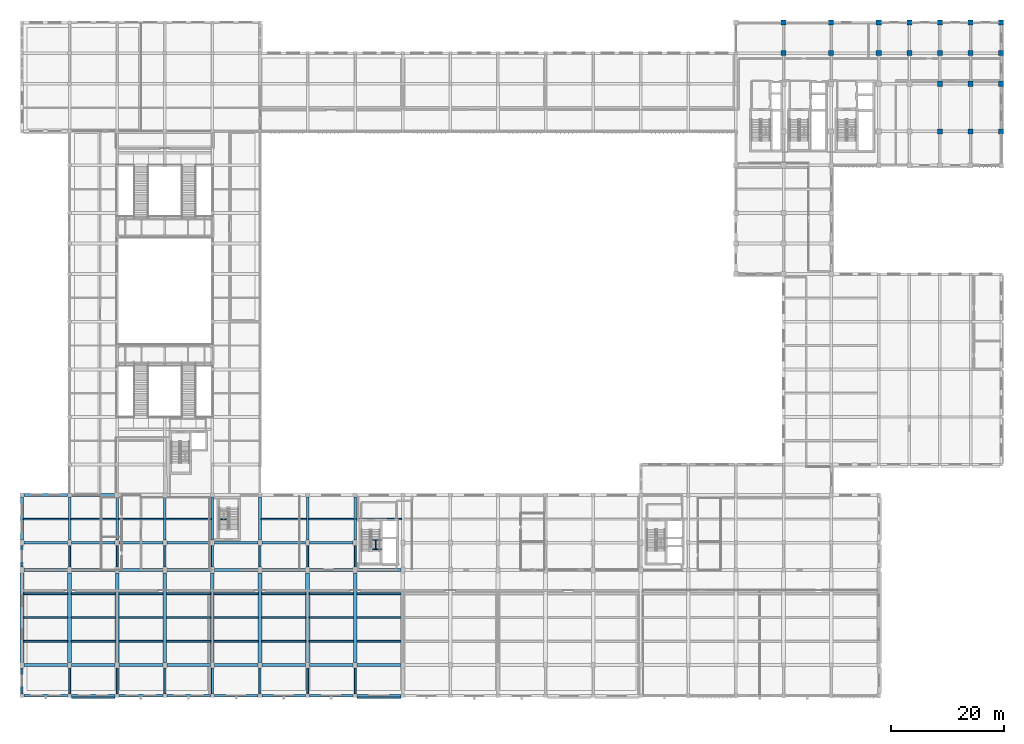
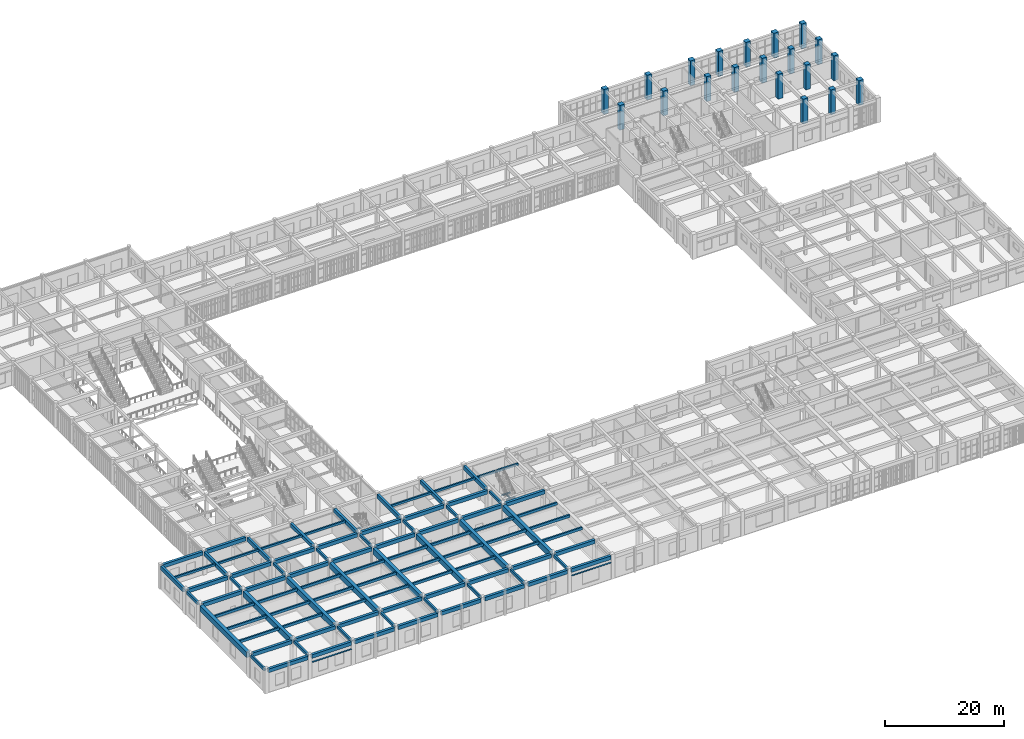
# One storey, part 14 of 106: 100 beams, 20 columns, 2 members.
"""IFC4 building model written with IfcOpenShell, lengths in metres."""

from ifc_helpers import new_model, si_unit, direction, frame, origin, origin_2d, place, context, subcontext, project, spatial, rectangle, hollow_rectangle, i_section, extrude, material, material_profile, profile_set, type_object, element, save


model = new_model("IFC4")

# Units and contexts
model_context = context("Model", 3, precision=1e-05, world=origin(), true_north=direction((0.0, 1.0)))
body_context = subcontext(model_context, "Body", "Model", "MODEL_VIEW")
ifc_project = project(units=[si_unit("LENGTHUNIT", "METRE"), si_unit("AREAUNIT", "SQUARE_METRE"), si_unit("VOLUMEUNIT", "CUBIC_METRE"), si_unit("PLANEANGLEUNIT", "RADIAN"), si_unit("MASSUNIT", "GRAM", prefix="KILO")], contexts=[model_context])

# Site, building, storey
site_placement = place(None, origin())
site = spatial("IfcSite", under=ifc_project, at=site_placement, CompositionType="ELEMENT")
building_placement = place(site_placement, origin())
building = spatial("IfcBuilding", under=site, at=building_placement, Name="Krzemoval Escarpment Law Courts", CompositionType="ELEMENT")
storey_placement = place(building_placement, frame((0.0, 0.0, 5.10009765625)))
storey = spatial("IfcBuildingStorey", under=building, at=storey_placement, Name="L01", CompositionType="ELEMENT", Elevation=5.10009765625)

# Columns
ifc_material_1 = material(Name="Concrete C50/60", Category="concrete")
ifc_material_profile_1 = material_profile(ifc_material_1, rectangle(XDim=0.89990234375, YDim=0.89990234375, at=origin_2d()), Name="RC 900x900")
ifc_profile_set_1 = profile_set([ifc_material_profile_1], Name="Concrete C50/60")
column_type = type_object("IfcColumnType", Name="COL-RC-900", PredefinedType="COLUMN", material=ifc_profile_set_1)
for number, where, z_axis, x_axis, name in (
    (1, (134.39990234375, 113.39990234375, 0.0), (0.0, 0.0, 1.0), (1.0, 0.0, 0.0), "Column FC-L01-0735"),
    (2, (134.39990234375, 118.800048828125, 0.0), (0.0, 0.0, 1.0), (1.0, 0.0, 0.0), "Column FC-L01-0736"),
    (3, (142.800048828125, 113.39990234375, 0.0), (0.0, 0.0, 1.0), (1.0, 0.0, 0.0), "Column FC-L01-0752"),
    (4, (142.800048828125, 118.800048828125, 0.0), (0.0, 0.0, 1.0), (1.0, 0.0, 0.0), "Column FC-L01-0753"),
    (5, (151.199951171875, 113.39990234375, 0.0), (0.0, 0.0, 1.0), (1.0, 0.0, 0.0), "Column FC-L01-0767"),
    (6, (151.199951171875, 118.800048828125, 0.0), (0.0, 0.0, 1.0), (1.0, 0.0, 0.0), "Column FC-L01-0768"),
    (7, (156.60009765625, 113.39990234375, 0.0), (0.0, 0.0, 1.0), (1.0, 0.0, 0.0), "Column FC-L01-0777"),
    (8, (156.60009765625, 118.800048828125, 0.0), (0.0, 0.0, 1.0), (1.0, 0.0, 0.0), "Column FC-L01-0778"),
    (9, (162.0, 99.60009765625, 0.0), (0.0, 0.0, 1.0), (1.0, 0.0, 0.0), "Column FC-L01-0785"),
    (10, (162.0, 108.0, 0.0), (0.0, 0.0, 1.0), (1.0, 0.0, 0.0), "Column FC-L01-0786"),
    (11, (162.0, 113.39990234375, 0.0), (0.0, 0.0, 1.0), (1.0, 0.0, 0.0), "Column FC-L01-0787"),
    (12, (162.0, 118.800048828125, 0.0), (0.0, 0.0, 1.0), (1.0, 0.0, 0.0), "Column FC-L01-0788"),
    (13, (167.39990234375, 99.60009765625, 0.0), (0.0, 0.0, 1.0), (1.0, 0.0, 0.0), "Column FC-L01-0795"),
    (14, (167.39990234375, 108.0, 0.0), (0.0, 0.0, 1.0), (1.0, 0.0, 0.0), "Column FC-L01-0796"),
    (15, (167.39990234375, 113.39990234375, 0.0), (0.0, 0.0, 1.0), (1.0, 0.0, 0.0), "Column FC-L01-0797"),
    (16, (167.39990234375, 118.800048828125, 0.0), (0.0, 0.0, 1.0), (1.0, 0.0, 0.0), "Column FC-L01-0798"),
    (17, (172.800048828125, 99.60009765625, 0.0), (0.0, 0.0, 1.0), (1.0, 0.0, 0.0), "Column FC-L01-0805"),
    (18, (172.800048828125, 108.0, 0.0), (0.0, 0.0, 1.0), (1.0, 0.0, 0.0), "Column FC-L01-0806"),
    (19, (172.800048828125, 113.39990234375, 0.0), (0.0, 0.0, 1.0), (1.0, 0.0, 0.0), "Column FC-L01-0807"),
    (20, (172.800048828125, 118.800048828125, 0.0), (0.0, 0.0, 1.0), (1.0, 0.0, 0.0), "Column FC-L01-0808"),
):
    element("IfcColumn", number, at=place(storey_placement, frame(where, z_axis=z_axis, x_axis=x_axis)), inside=storey, type_object=column_type, Name=name, PredefinedType="COLUMN", context=body_context, shape_type="SweptSolid", body=[
        extrude(rectangle(XDim=0.89990234375, YDim=0.89990234375, at=origin_2d()), origin(), (0.0, 0.0, 1.0), 5.099853515625),
    ])

# Beams
ifc_material_2 = material(Name="Concrete C50/60", Category="concrete")
ifc_material_profile_2 = material_profile(ifc_material_2, rectangle(XDim=0.64990234375, YDim=1.14990234375, at=origin_2d()), Name="PTG 650x1150")
ifc_profile_set_2 = profile_set([ifc_material_profile_2], Name="Concrete C50/60")
beam_type_1 = type_object("IfcBeamType", Name="BM-PTG-650x1150", PredefinedType="BEAM", material=ifc_profile_set_2)
for number, where, z_axis, x_axis, name in (
    (21, (0.0, 5.89990234375, 4.244873046875), (0.0, 1.0, 0.0), (-1.0, 0.0, 0.0), "Beam FG-L01-1372"),
    (22, (8.39990234375, 5.89990234375, 4.244873046875), (0.0, 1.0, 0.0), (-1.0, 0.0, 0.0), "Beam FG-L01-1379"),
    (23, (16.800048828125, 5.89990234375, 4.244873046875), (0.0, 1.0, 0.0), (-1.0, 0.0, 0.0), "Beam FG-L01-1395"),
    (24, (25.199951171875, 5.89990234375, 4.244873046875), (0.0, 1.0, 0.0), (-1.0, 0.0, 0.0), "Beam FG-L01-1411"),
    (25, (33.60009765625, 5.89990234375, 4.244873046875), (0.0, 1.0, 0.0), (-1.0, 0.0, 0.0), "Beam FG-L01-1421"),
    (26, (42.0, 5.89990234375, 4.244873046875), (0.0, 1.0, 0.0), (-1.0, 0.0, 0.0), "Beam FG-L01-1437"),
    (27, (50.39990234375, 5.89990234375, 4.244873046875), (0.0, 1.0, 0.0), (-1.0, 0.0, 0.0), "Beam FG-L01-1453"),
    (28, (58.800048828125, 5.89990234375, 4.244873046875), (0.0, 1.0, 0.0), (-1.0, 0.0, 0.0), "Beam FG-L01-1459"),
):
    element("IfcBeam", number, at=place(storey_placement, frame(where, z_axis=z_axis, x_axis=x_axis)), inside=storey, type_object=beam_type_1, Name=name, PredefinedType="BEAM", context=body_context, shape_type="SweptSolid", body=[
        extrude(rectangle(XDim=0.64990234375, YDim=1.14990234375, at=origin_2d()), origin(), (0.0, 0.0, 1.0), 15.800048828125),
    ])
ifc_material_3 = material(Name="Concrete C40/50", Category="concrete")
ifc_material_profile_3 = material_profile(ifc_material_3, rectangle(XDim=0.35009765625, YDim=0.550048828125, at=origin_2d()), Name="RCB 350x550")
ifc_profile_set_3 = profile_set([ifc_material_profile_3], Name="Concrete C40/50")
beam_type_2 = type_object("IfcBeamType", Name="BM-RC-350x550", PredefinedType="BEAM", material=ifc_profile_set_3)
beam_1_placement = place(storey_placement, frame((0.0, 0.35009765625, 4.544921875), z_axis=(0.0, 1.0, 0.0), x_axis=(-1.0, 0.0, 0.0)))
element("IfcBeam", 29, at=beam_1_placement, inside=storey, type_object=beam_type_2, Name="Beam FG-L01-1371", PredefinedType="BEAM", context=body_context, shape_type="SweptSolid", body=[
    extrude(rectangle(XDim=0.35009765625, YDim=0.550048828125, at=origin_2d()), origin(), (0.0, 0.0, 1.0), 4.5498046875),
])
beam_2_placement = place(storey_placement, frame((0.0, 22.699951171875, 4.544921875), z_axis=(0.0, 1.0, 0.0), x_axis=(-1.0, 0.0, 0.0)))
element("IfcBeam", 30, at=beam_2_placement, inside=storey, type_object=beam_type_2, Name="Beam FG-L01-1373", PredefinedType="BEAM", context=body_context, shape_type="SweptSolid", body=[
    extrude(rectangle(XDim=0.35009765625, YDim=0.550048828125, at=origin_2d()), origin(), (0.0, 0.0, 1.0), 3.800048828125),
])
beam_3_placement = place(storey_placement, frame((8.39990234375, 0.35009765625, 4.544921875), z_axis=(0.0, 1.0, 0.0), x_axis=(-1.0, 0.0, 0.0)))
element("IfcBeam", 31, at=beam_3_placement, inside=storey, type_object=beam_type_2, Name="Beam FG-L01-1378", PredefinedType="BEAM", context=body_context, shape_type="SweptSolid", body=[
    extrude(rectangle(XDim=0.35009765625, YDim=0.550048828125, at=origin_2d()), origin(), (0.0, 0.0, 1.0), 4.5498046875),
])
beam_4_placement = place(storey_placement, frame((8.39990234375, 22.699951171875, 4.544921875), z_axis=(0.0, 1.0, 0.0), x_axis=(-1.0, 0.0, 0.0)))
element("IfcBeam", 32, at=beam_4_placement, inside=storey, type_object=beam_type_2, Name="Beam FG-L01-1380", PredefinedType="BEAM", context=body_context, shape_type="SweptSolid", body=[
    extrude(rectangle(XDim=0.35009765625, YDim=0.550048828125, at=origin_2d()), origin(), (0.0, 0.0, 1.0), 3.800048828125),
])
beam_5_placement = place(storey_placement, frame((16.800048828125, 0.35009765625, 4.544921875), z_axis=(0.0, 1.0, 0.0), x_axis=(-1.0, 0.0, 0.0)))
element("IfcBeam", 33, at=beam_5_placement, inside=storey, type_object=beam_type_2, Name="Beam FG-L01-1394", PredefinedType="BEAM", context=body_context, shape_type="SweptSolid", body=[
    extrude(rectangle(XDim=0.35009765625, YDim=0.550048828125, at=origin_2d()), origin(), (0.0, 0.0, 1.0), 4.5498046875),
])
beam_6_placement = place(storey_placement, frame((16.800048828125, 22.699951171875, 4.544921875), z_axis=(0.0, 1.0, 0.0), x_axis=(-1.0, 0.0, 0.0)))
element("IfcBeam", 34, at=beam_6_placement, inside=storey, type_object=beam_type_2, Name="Beam FG-L01-1396", PredefinedType="BEAM", context=body_context, shape_type="SweptSolid", body=[
    extrude(rectangle(XDim=0.35009765625, YDim=0.550048828125, at=origin_2d()), origin(), (0.0, 0.0, 1.0), 3.800048828125),
])
beam_7_placement = place(storey_placement, frame((25.199951171875, 0.35009765625, 4.544921875), z_axis=(0.0, 1.0, 0.0), x_axis=(-1.0, 0.0, 0.0)))
element("IfcBeam", 35, at=beam_7_placement, inside=storey, type_object=beam_type_2, Name="Beam FG-L01-1410", PredefinedType="BEAM", context=body_context, shape_type="SweptSolid", body=[
    extrude(rectangle(XDim=0.35009765625, YDim=0.550048828125, at=origin_2d()), origin(), (0.0, 0.0, 1.0), 4.5498046875),
])
beam_8_placement = place(storey_placement, frame((25.199951171875, 22.699951171875, 4.544921875), z_axis=(0.0, 1.0, 0.0), x_axis=(-1.0, 0.0, 0.0)))
element("IfcBeam", 36, at=beam_8_placement, inside=storey, type_object=beam_type_2, Name="Beam FG-L01-1412", PredefinedType="BEAM", context=body_context, shape_type="SweptSolid", body=[
    extrude(rectangle(XDim=0.35009765625, YDim=0.550048828125, at=origin_2d()), origin(), (0.0, 0.0, 1.0), 3.800048828125),
])
beam_9_placement = place(storey_placement, frame((33.60009765625, 0.35009765625, 4.544921875), z_axis=(0.0, 1.0, 0.0), x_axis=(-1.0, 0.0, 0.0)))
element("IfcBeam", 37, at=beam_9_placement, inside=storey, type_object=beam_type_2, Name="Beam FG-L01-1420", PredefinedType="BEAM", context=body_context, shape_type="SweptSolid", body=[
    extrude(rectangle(XDim=0.35009765625, YDim=0.550048828125, at=origin_2d()), origin(), (0.0, 0.0, 1.0), 4.5498046875),
])
beam_10_placement = place(storey_placement, frame((33.60009765625, 22.699951171875, 4.544921875), z_axis=(0.0, 1.0, 0.0), x_axis=(-1.0, 0.0, 0.0)))
element("IfcBeam", 38, at=beam_10_placement, inside=storey, type_object=beam_type_2, Name="Beam FG-L01-1422", PredefinedType="BEAM", context=body_context, shape_type="SweptSolid", body=[
    extrude(rectangle(XDim=0.35009765625, YDim=0.550048828125, at=origin_2d()), origin(), (0.0, 0.0, 1.0), 3.800048828125),
])
beam_11_placement = place(storey_placement, frame((42.0, 0.35009765625, 4.544921875), z_axis=(0.0, 1.0, 0.0), x_axis=(-1.0, 0.0, 0.0)))
element("IfcBeam", 39, at=beam_11_placement, inside=storey, type_object=beam_type_2, Name="Beam FG-L01-1436", PredefinedType="BEAM", context=body_context, shape_type="SweptSolid", body=[
    extrude(rectangle(XDim=0.35009765625, YDim=0.550048828125, at=origin_2d()), origin(), (0.0, 0.0, 1.0), 4.5498046875),
])
beam_12_placement = place(storey_placement, frame((42.0, 22.699951171875, 4.544921875), z_axis=(0.0, 1.0, 0.0), x_axis=(-1.0, 0.0, 0.0)))
element("IfcBeam", 40, at=beam_12_placement, inside=storey, type_object=beam_type_2, Name="Beam FG-L01-1438", PredefinedType="BEAM", context=body_context, shape_type="SweptSolid", body=[
    extrude(rectangle(XDim=0.35009765625, YDim=0.550048828125, at=origin_2d()), origin(), (0.0, 0.0, 1.0), 3.800048828125),
])
beam_13_placement = place(storey_placement, frame((50.39990234375, 0.35009765625, 4.544921875), z_axis=(0.0, 1.0, 0.0), x_axis=(-1.0, 0.0, 0.0)))
element("IfcBeam", 41, at=beam_13_placement, inside=storey, type_object=beam_type_2, Name="Beam FG-L01-1452", PredefinedType="BEAM", context=body_context, shape_type="SweptSolid", body=[
    extrude(rectangle(XDim=0.35009765625, YDim=0.550048828125, at=origin_2d()), origin(), (0.0, 0.0, 1.0), 4.5498046875),
])
beam_14_placement = place(storey_placement, frame((50.39990234375, 22.699951171875, 4.544921875), z_axis=(0.0, 1.0, 0.0), x_axis=(-1.0, 0.0, 0.0)))
element("IfcBeam", 42, at=beam_14_placement, inside=storey, type_object=beam_type_2, Name="Beam FG-L01-1454", PredefinedType="BEAM", context=body_context, shape_type="SweptSolid", body=[
    extrude(rectangle(XDim=0.35009765625, YDim=0.550048828125, at=origin_2d()), origin(), (0.0, 0.0, 1.0), 3.800048828125),
])
beam_15_placement = place(storey_placement, frame((58.800048828125, 0.35009765625, 4.544921875), z_axis=(0.0, 1.0, 0.0), x_axis=(-1.0, 0.0, 0.0)))
element("IfcBeam", 43, at=beam_15_placement, inside=storey, type_object=beam_type_2, Name="Beam FG-L01-1458", PredefinedType="BEAM", context=body_context, shape_type="SweptSolid", body=[
    extrude(rectangle(XDim=0.35009765625, YDim=0.550048828125, at=origin_2d()), origin(), (0.0, 0.0, 1.0), 4.5498046875),
])
beam_16_placement = place(storey_placement, frame((58.800048828125, 22.699951171875, 4.544921875), z_axis=(0.0, 1.0, 0.0), x_axis=(-1.0, 0.0, 0.0)))
element("IfcBeam", 44, at=beam_16_placement, inside=storey, type_object=beam_type_2, Name="Beam FG-L01-1460", PredefinedType="BEAM", context=body_context, shape_type="SweptSolid", body=[
    extrude(rectangle(XDim=0.35009765625, YDim=0.550048828125, at=origin_2d()), origin(), (0.0, 0.0, 1.0), 3.800048828125),
])
ifc_material_4 = material(Name="Concrete C40/50", Category="concrete")
ifc_material_profile_4 = material_profile(ifc_material_4, rectangle(XDim=0.449951171875, YDim=0.800048828125, at=origin_2d()), Name="RCB 450x800")
ifc_profile_set_4 = profile_set([ifc_material_profile_4], Name="Concrete C40/50")
beam_type_3 = type_object("IfcBeamType", Name="BM-RC-450x800", PredefinedType="BEAM", material=ifc_profile_set_4)
for number, where, z_axis, x_axis, name in (
    (45, (0.0, 27.5, 4.419921875), (0.0, 1.0, 0.0), (-1.0, 0.0, 0.0), "Beam FG-L01-1374"),
    (46, (8.39990234375, 27.5, 4.419921875), (0.0, 1.0, 0.0), (-1.0, 0.0, 0.0), "Beam FG-L01-1381"),
    (47, (16.800048828125, 27.5, 4.419921875), (0.0, 1.0, 0.0), (-1.0, 0.0, 0.0), "Beam FG-L01-1397"),
    (48, (25.199951171875, 27.5, 4.419921875), (0.0, 1.0, 0.0), (-1.0, 0.0, 0.0), "Beam FG-L01-1413"),
    (49, (33.60009765625, 27.5, 4.419921875), (0.0, 1.0, 0.0), (-1.0, 0.0, 0.0), "Beam FG-L01-1423"),
    (50, (42.0, 27.5, 4.419921875), (0.0, 1.0, 0.0), (-1.0, 0.0, 0.0), "Beam FG-L01-1439"),
    (51, (50.39990234375, 27.5, 4.419921875), (0.0, 1.0, 0.0), (-1.0, 0.0, 0.0), "Beam FG-L01-1455"),
    (52, (58.800048828125, 27.5, 4.419921875), (0.0, 1.0, 0.0), (-1.0, 0.0, 0.0), "Beam FG-L01-1461"),
):
    element("IfcBeam", number, at=place(storey_placement, frame(where, z_axis=z_axis, x_axis=x_axis)), inside=storey, type_object=beam_type_3, Name=name, PredefinedType="BEAM", context=body_context, shape_type="SweptSolid", body=[
        extrude(rectangle(XDim=0.449951171875, YDim=0.800048828125, at=origin_2d()), origin(), (0.0, 0.0, 1.0), 7.550048828125),
    ])
ifc_material_5 = material(Name="Concrete C40/50", Category="concrete")
ifc_material_profile_5 = material_profile(ifc_material_5, rectangle(XDim=0.5, YDim=0.75, at=origin_2d()), Name="RCB 500x750")
ifc_profile_set_5 = profile_set([ifc_material_profile_5], Name="Concrete C40/50")
beam_type_4 = type_object("IfcBeamType", Name="BM-RC-500x750", PredefinedType="BEAM", material=ifc_profile_set_5)
for number, where, z_axis, x_axis, name in (
    (53, (0.35009765625, 0.0, 4.44482421875), (1.0, 0.0, 0.0), (0.0, 1.0, 0.0), "Beam FG-L01-1145"),
    (54, (8.75, 0.0, 4.44482421875), (1.0, 0.0, 0.0), (0.0, 1.0, 0.0), "Beam FG-L01-1146"),
):
    element("IfcBeam", number, at=place(storey_placement, frame(where, z_axis=z_axis, x_axis=x_axis)), inside=storey, type_object=beam_type_4, Name=name, PredefinedType="BEAM", context=body_context, shape_type="SweptSolid", body=[
        extrude(rectangle(XDim=0.5, YDim=0.75, at=origin_2d()), origin(), (0.0, 0.0, 1.0), 7.699951171875),
    ])
beam_17_placement = place(storey_placement, frame((17.14990234375, 0.0, 4.44482421875), z_axis=(1.0, 0.0, 0.0), x_axis=(0.0, 1.0, 0.0)))
element("IfcBeam", 55, at=beam_17_placement, inside=storey, type_object=beam_type_4, Name="Beam FG-L01-1147", PredefinedType="BEAM", context=body_context, shape_type="SweptSolid", body=[
    extrude(rectangle(XDim=0.5, YDim=0.75, at=origin_2d()), origin(), (0.0, 0.0, 1.0), 7.7001953125),
])
for number, where, z_axis, x_axis, name in (
    (56, (25.550048828125, 0.0, 4.44482421875), (1.0, 0.0, 0.0), (0.0, 1.0, 0.0), "Beam FG-L01-1148"),
    (57, (33.949951171875, 0.0, 4.44482421875), (1.0, 0.0, 0.0), (0.0, 1.0, 0.0), "Beam FG-L01-1149"),
    (58, (42.35009765625, 0.0, 4.44482421875), (1.0, 0.0, 0.0), (0.0, 1.0, 0.0), "Beam FG-L01-1150"),
    (59, (50.75, 0.0, 4.44482421875), (1.0, 0.0, 0.0), (0.0, 1.0, 0.0), "Beam FG-L01-1151"),
):
    element("IfcBeam", number, at=place(storey_placement, frame(where, z_axis=z_axis, x_axis=x_axis)), inside=storey, type_object=beam_type_4, Name=name, PredefinedType="BEAM", context=body_context, shape_type="SweptSolid", body=[
        extrude(rectangle(XDim=0.5, YDim=0.75, at=origin_2d()), origin(), (0.0, 0.0, 1.0), 7.699951171875),
    ])
beam_18_placement = place(storey_placement, frame((59.14990234375, 0.0, 4.44482421875), z_axis=(1.0, 0.0, 0.0), x_axis=(0.0, 1.0, 0.0)))
element("IfcBeam", 60, at=beam_18_placement, inside=storey, type_object=beam_type_4, Name="Beam FG-L01-1152", PredefinedType="BEAM", context=body_context, shape_type="SweptSolid", body=[
    extrude(rectangle(XDim=0.5, YDim=0.75, at=origin_2d()), origin(), (0.0, 0.0, 1.0), 7.7001953125),
])
for number, where, z_axis, x_axis, name in (
    (61, (0.35009765625, 5.39990234375, 4.44482421875), (1.0, 0.0, 0.0), (0.0, 1.0, 0.0), "Beam FG-L01-1163"),
    (62, (8.75, 5.39990234375, 4.44482421875), (1.0, 0.0, 0.0), (0.0, 1.0, 0.0), "Beam FG-L01-1164"),
):
    element("IfcBeam", number, at=place(storey_placement, frame(where, z_axis=z_axis, x_axis=x_axis)), inside=storey, type_object=beam_type_4, Name=name, PredefinedType="BEAM", context=body_context, shape_type="SweptSolid", body=[
        extrude(rectangle(XDim=0.5, YDim=0.75, at=origin_2d()), origin(), (0.0, 0.0, 1.0), 7.699951171875),
    ])
beam_19_placement = place(storey_placement, frame((17.14990234375, 5.39990234375, 4.44482421875), z_axis=(1.0, 0.0, 0.0), x_axis=(0.0, 1.0, 0.0)))
element("IfcBeam", 63, at=beam_19_placement, inside=storey, type_object=beam_type_4, Name="Beam FG-L01-1165", PredefinedType="BEAM", context=body_context, shape_type="SweptSolid", body=[
    extrude(rectangle(XDim=0.5, YDim=0.75, at=origin_2d()), origin(), (0.0, 0.0, 1.0), 7.7001953125),
])
for number, where, z_axis, x_axis, name in (
    (64, (25.550048828125, 5.39990234375, 4.44482421875), (1.0, 0.0, 0.0), (0.0, 1.0, 0.0), "Beam FG-L01-1166"),
    (65, (33.949951171875, 5.39990234375, 4.44482421875), (1.0, 0.0, 0.0), (0.0, 1.0, 0.0), "Beam FG-L01-1167"),
    (66, (42.35009765625, 5.39990234375, 4.44482421875), (1.0, 0.0, 0.0), (0.0, 1.0, 0.0), "Beam FG-L01-1168"),
    (67, (50.75, 5.39990234375, 4.44482421875), (1.0, 0.0, 0.0), (0.0, 1.0, 0.0), "Beam FG-L01-1169"),
):
    element("IfcBeam", number, at=place(storey_placement, frame(where, z_axis=z_axis, x_axis=x_axis)), inside=storey, type_object=beam_type_4, Name=name, PredefinedType="BEAM", context=body_context, shape_type="SweptSolid", body=[
        extrude(rectangle(XDim=0.5, YDim=0.75, at=origin_2d()), origin(), (0.0, 0.0, 1.0), 7.699951171875),
    ])
beam_20_placement = place(storey_placement, frame((59.14990234375, 5.39990234375, 4.44482421875), z_axis=(1.0, 0.0, 0.0), x_axis=(0.0, 1.0, 0.0)))
element("IfcBeam", 68, at=beam_20_placement, inside=storey, type_object=beam_type_4, Name="Beam FG-L01-1170", PredefinedType="BEAM", context=body_context, shape_type="SweptSolid", body=[
    extrude(rectangle(XDim=0.5, YDim=0.75, at=origin_2d()), origin(), (0.0, 0.0, 1.0), 7.7001953125),
])
for number, where, z_axis, x_axis, name in (
    (69, (0.35009765625, 22.199951171875, 4.44482421875), (1.0, 0.0, 0.0), (0.0, 1.0, 0.0), "Beam FG-L01-1181"),
    (70, (8.75, 22.199951171875, 4.44482421875), (1.0, 0.0, 0.0), (0.0, 1.0, 0.0), "Beam FG-L01-1182"),
):
    element("IfcBeam", number, at=place(storey_placement, frame(where, z_axis=z_axis, x_axis=x_axis)), inside=storey, type_object=beam_type_4, Name=name, PredefinedType="BEAM", context=body_context, shape_type="SweptSolid", body=[
        extrude(rectangle(XDim=0.5, YDim=0.75, at=origin_2d()), origin(), (0.0, 0.0, 1.0), 7.699951171875),
    ])
beam_21_placement = place(storey_placement, frame((17.14990234375, 22.199951171875, 4.44482421875), z_axis=(1.0, 0.0, 0.0), x_axis=(0.0, 1.0, 0.0)))
element("IfcBeam", 71, at=beam_21_placement, inside=storey, type_object=beam_type_4, Name="Beam FG-L01-1183", PredefinedType="BEAM", context=body_context, shape_type="SweptSolid", body=[
    extrude(rectangle(XDim=0.5, YDim=0.75, at=origin_2d()), origin(), (0.0, 0.0, 1.0), 7.7001953125),
])
for number, where, z_axis, x_axis, name in (
    (72, (25.550048828125, 22.199951171875, 4.44482421875), (1.0, 0.0, 0.0), (0.0, 1.0, 0.0), "Beam FG-L01-1184"),
    (73, (33.949951171875, 22.199951171875, 4.44482421875), (1.0, 0.0, 0.0), (0.0, 1.0, 0.0), "Beam FG-L01-1185"),
    (74, (42.35009765625, 22.199951171875, 4.44482421875), (1.0, 0.0, 0.0), (0.0, 1.0, 0.0), "Beam FG-L01-1186"),
    (75, (50.75, 22.199951171875, 4.44482421875), (1.0, 0.0, 0.0), (0.0, 1.0, 0.0), "Beam FG-L01-1187"),
):
    element("IfcBeam", number, at=place(storey_placement, frame(where, z_axis=z_axis, x_axis=x_axis)), inside=storey, type_object=beam_type_4, Name=name, PredefinedType="BEAM", context=body_context, shape_type="SweptSolid", body=[
        extrude(rectangle(XDim=0.5, YDim=0.75, at=origin_2d()), origin(), (0.0, 0.0, 1.0), 7.699951171875),
    ])
beam_22_placement = place(storey_placement, frame((59.14990234375, 22.199951171875, 4.44482421875), z_axis=(1.0, 0.0, 0.0), x_axis=(0.0, 1.0, 0.0)))
element("IfcBeam", 76, at=beam_22_placement, inside=storey, type_object=beam_type_4, Name="Beam FG-L01-1188", PredefinedType="BEAM", context=body_context, shape_type="SweptSolid", body=[
    extrude(rectangle(XDim=0.5, YDim=0.75, at=origin_2d()), origin(), (0.0, 0.0, 1.0), 7.7001953125),
])
for number, where, z_axis, x_axis, name in (
    (77, (0.35009765625, 27.0, 4.44482421875), (1.0, 0.0, 0.0), (0.0, 1.0, 0.0), "Beam FG-L01-1199"),
    (78, (8.75, 27.0, 4.44482421875), (1.0, 0.0, 0.0), (0.0, 1.0, 0.0), "Beam FG-L01-1200"),
):
    element("IfcBeam", number, at=place(storey_placement, frame(where, z_axis=z_axis, x_axis=x_axis)), inside=storey, type_object=beam_type_4, Name=name, PredefinedType="BEAM", context=body_context, shape_type="SweptSolid", body=[
        extrude(rectangle(XDim=0.5, YDim=0.75, at=origin_2d()), origin(), (0.0, 0.0, 1.0), 7.699951171875),
    ])
beam_23_placement = place(storey_placement, frame((17.14990234375, 27.0, 4.44482421875), z_axis=(1.0, 0.0, 0.0), x_axis=(0.0, 1.0, 0.0)))
element("IfcBeam", 79, at=beam_23_placement, inside=storey, type_object=beam_type_4, Name="Beam FG-L01-1201", PredefinedType="BEAM", context=body_context, shape_type="SweptSolid", body=[
    extrude(rectangle(XDim=0.5, YDim=0.75, at=origin_2d()), origin(), (0.0, 0.0, 1.0), 7.7001953125),
])
for number, where, z_axis, x_axis, name in (
    (80, (25.550048828125, 27.0, 4.44482421875), (1.0, 0.0, 0.0), (0.0, 1.0, 0.0), "Beam FG-L01-1202"),
    (81, (33.949951171875, 27.0, 4.44482421875), (1.0, 0.0, 0.0), (0.0, 1.0, 0.0), "Beam FG-L01-1203"),
    (82, (42.35009765625, 27.0, 4.44482421875), (1.0, 0.0, 0.0), (0.0, 1.0, 0.0), "Beam FG-L01-1204"),
    (83, (50.75, 27.0, 4.44482421875), (1.0, 0.0, 0.0), (0.0, 1.0, 0.0), "Beam FG-L01-1205"),
    (84, (0.35009765625, 35.39990234375, 4.44482421875), (1.0, 0.0, 0.0), (0.0, 1.0, 0.0), "Beam FG-L01-1215"),
    (85, (8.75, 35.39990234375, 4.44482421875), (1.0, 0.0, 0.0), (0.0, 1.0, 0.0), "Beam FG-L01-1216"),
):
    element("IfcBeam", number, at=place(storey_placement, frame(where, z_axis=z_axis, x_axis=x_axis)), inside=storey, type_object=beam_type_4, Name=name, PredefinedType="BEAM", context=body_context, shape_type="SweptSolid", body=[
        extrude(rectangle(XDim=0.5, YDim=0.75, at=origin_2d()), origin(), (0.0, 0.0, 1.0), 7.699951171875),
    ])
ifc_material_6 = material(Name="Concrete C40/50", Category="concrete")
ifc_material_profile_6 = material_profile(ifc_material_6, rectangle(XDim=0.300048828125, YDim=0.449951171875, at=origin_2d()), Name="RCB 300x450")
ifc_profile_set_6 = profile_set([ifc_material_profile_6], Name="Concrete C40/50")
beam_type_5 = type_object("IfcBeamType", Name="JST-RC-300x450", PredefinedType="JOIST", material=ifc_profile_set_6)
for number, where, z_axis, x_axis, name in (
    (86, (0.22509765625, 31.199951171875, 4.594970703125), (1.0, 0.0, 0.0), (0.0, 1.0, 0.0), "Secondary Joist FJ-L01-1599"),
    (87, (8.625, 31.199951171875, 4.594970703125), (1.0, 0.0, 0.0), (0.0, 1.0, 0.0), "Secondary Joist FJ-L01-1604"),
):
    element("IfcBeam", number, at=place(storey_placement, frame(where, z_axis=z_axis, x_axis=x_axis)), inside=storey, type_object=beam_type_5, Name=name, PredefinedType="JOIST", context=body_context, shape_type="SweptSolid", body=[
        extrude(rectangle(XDim=0.300048828125, YDim=0.449951171875, at=origin_2d()), origin(), (0.0, 0.0, 1.0), 7.949951171875),
    ])
beam_24_placement = place(storey_placement, frame((17.02490234375, 31.199951171875, 4.594970703125), z_axis=(1.0, 0.0, 0.0), x_axis=(0.0, 1.0, 0.0)))
element("IfcBeam", 88, at=beam_24_placement, inside=storey, type_object=beam_type_5, Name="Secondary Joist FJ-L01-1614", PredefinedType="JOIST", context=body_context, shape_type="SweptSolid", body=[
    extrude(rectangle(XDim=0.300048828125, YDim=0.449951171875, at=origin_2d()), origin(), (0.0, 0.0, 1.0), 7.9501953125),
])
for number, where, z_axis, x_axis, name in (
    (89, (25.425048828125, 31.199951171875, 4.594970703125), (1.0, 0.0, 0.0), (0.0, 1.0, 0.0), "Secondary Joist FJ-L01-1620"),
    (90, (42.22509765625, 31.199951171875, 4.594970703125), (1.0, 0.0, 0.0), (0.0, 1.0, 0.0), "Secondary Joist FJ-L01-1634"),
    (91, (50.625, 31.199951171875, 4.594970703125), (1.0, 0.0, 0.0), (0.0, 1.0, 0.0), "Secondary Joist FJ-L01-1639"),
):
    element("IfcBeam", number, at=place(storey_placement, frame(where, z_axis=z_axis, x_axis=x_axis)), inside=storey, type_object=beam_type_5, Name=name, PredefinedType="JOIST", context=body_context, shape_type="SweptSolid", body=[
        extrude(rectangle(XDim=0.300048828125, YDim=0.449951171875, at=origin_2d()), origin(), (0.0, 0.0, 1.0), 7.949951171875),
    ])
beam_25_placement = place(storey_placement, frame((59.02490234375, 31.199951171875, 4.594970703125), z_axis=(1.0, 0.0, 0.0), x_axis=(0.0, 1.0, 0.0)))
element("IfcBeam", 92, at=beam_25_placement, inside=storey, type_object=beam_type_5, Name="Secondary Joist FJ-L01-1644", PredefinedType="JOIST", context=body_context, shape_type="SweptSolid", body=[
    extrude(rectangle(XDim=0.300048828125, YDim=0.449951171875, at=origin_2d()), origin(), (0.0, 0.0, 1.0), 7.9501953125),
])
ifc_material_7 = material(Name="Concrete C40/50", Category="concrete")
ifc_material_profile_7 = material_profile(ifc_material_7, rectangle(XDim=0.300048828125, YDim=0.550048828125, at=origin_2d()), Name="RCB 300x550")
ifc_profile_set_7 = profile_set([ifc_material_profile_7], Name="Concrete C40/50")
beam_type_6 = type_object("IfcBeamType", Name="JST-RC-300x550", PredefinedType="JOIST", material=ifc_profile_set_7)
for number, where, z_axis, x_axis, name in (
    (93, (0.324951171875, 9.60009765625, 4.544921875), (1.0, 0.0, 0.0), (0.0, 1.0, 0.0), "Secondary Joist FJ-L01-1596"),
    (94, (0.324951171875, 13.800048828125, 4.544921875), (1.0, 0.0, 0.0), (0.0, 1.0, 0.0), "Secondary Joist FJ-L01-1597"),
    (95, (0.324951171875, 18.0, 4.544921875), (1.0, 0.0, 0.0), (0.0, 1.0, 0.0), "Secondary Joist FJ-L01-1598"),
    (96, (8.72509765625, 9.60009765625, 4.544921875), (1.0, 0.0, 0.0), (0.0, 1.0, 0.0), "Secondary Joist FJ-L01-1601"),
    (97, (8.72509765625, 13.800048828125, 4.544921875), (1.0, 0.0, 0.0), (0.0, 1.0, 0.0), "Secondary Joist FJ-L01-1602"),
    (98, (8.72509765625, 18.0, 4.544921875), (1.0, 0.0, 0.0), (0.0, 1.0, 0.0), "Secondary Joist FJ-L01-1603"),
    (99, (17.125, 9.60009765625, 4.544921875), (1.0, 0.0, 0.0), (0.0, 1.0, 0.0), "Secondary Joist FJ-L01-1611"),
    (100, (17.125, 13.800048828125, 4.544921875), (1.0, 0.0, 0.0), (0.0, 1.0, 0.0), "Secondary Joist FJ-L01-1612"),
    (101, (17.125, 18.0, 4.544921875), (1.0, 0.0, 0.0), (0.0, 1.0, 0.0), "Secondary Joist FJ-L01-1613"),
    (102, (25.52490234375, 9.60009765625, 4.544921875), (1.0, 0.0, 0.0), (0.0, 1.0, 0.0), "Secondary Joist FJ-L01-1617"),
    (103, (25.52490234375, 13.800048828125, 4.544921875), (1.0, 0.0, 0.0), (0.0, 1.0, 0.0), "Secondary Joist FJ-L01-1618"),
    (104, (25.52490234375, 18.0, 4.544921875), (1.0, 0.0, 0.0), (0.0, 1.0, 0.0), "Secondary Joist FJ-L01-1619"),
    (105, (33.925048828125, 9.60009765625, 4.544921875), (1.0, 0.0, 0.0), (0.0, 1.0, 0.0), "Secondary Joist FJ-L01-1622"),
    (106, (33.925048828125, 13.800048828125, 4.544921875), (1.0, 0.0, 0.0), (0.0, 1.0, 0.0), "Secondary Joist FJ-L01-1623"),
    (107, (33.925048828125, 18.0, 4.544921875), (1.0, 0.0, 0.0), (0.0, 1.0, 0.0), "Secondary Joist FJ-L01-1624"),
    (108, (42.324951171875, 9.60009765625, 4.544921875), (1.0, 0.0, 0.0), (0.0, 1.0, 0.0), "Secondary Joist FJ-L01-1631"),
    (109, (42.324951171875, 13.800048828125, 4.544921875), (1.0, 0.0, 0.0), (0.0, 1.0, 0.0), "Secondary Joist FJ-L01-1632"),
    (110, (42.324951171875, 18.0, 4.544921875), (1.0, 0.0, 0.0), (0.0, 1.0, 0.0), "Secondary Joist FJ-L01-1633"),
    (111, (50.72509765625, 9.60009765625, 4.544921875), (1.0, 0.0, 0.0), (0.0, 1.0, 0.0), "Secondary Joist FJ-L01-1636"),
    (112, (50.72509765625, 13.800048828125, 4.544921875), (1.0, 0.0, 0.0), (0.0, 1.0, 0.0), "Secondary Joist FJ-L01-1637"),
    (113, (50.72509765625, 18.0, 4.544921875), (1.0, 0.0, 0.0), (0.0, 1.0, 0.0), "Secondary Joist FJ-L01-1638"),
    (114, (59.125, 9.60009765625, 4.544921875), (1.0, 0.0, 0.0), (0.0, 1.0, 0.0), "Secondary Joist FJ-L01-1641"),
    (115, (59.125, 13.800048828125, 4.544921875), (1.0, 0.0, 0.0), (0.0, 1.0, 0.0), "Secondary Joist FJ-L01-1642"),
    (116, (59.125, 18.0, 4.544921875), (1.0, 0.0, 0.0), (0.0, 1.0, 0.0), "Secondary Joist FJ-L01-1643"),
):
    element("IfcBeam", number, at=place(storey_placement, frame(where, z_axis=z_axis, x_axis=x_axis)), inside=storey, type_object=beam_type_6, Name=name, PredefinedType="JOIST", context=body_context, shape_type="SweptSolid", body=[
        extrude(rectangle(XDim=0.300048828125, YDim=0.550048828125, at=origin_2d()), origin(), (0.0, 0.0, 1.0), 7.75),
    ])
ifc_material_8 = material(Name="Steel S355", Category="steel")
ifc_material_profile_8 = material_profile(ifc_material_8, i_section(OverallWidth=0.14990234375, OverallDepth=0.300048828125, WebThickness=0.007080078125, FlangeThickness=0.0107421875, at=origin_2d()), Name="IPE 300")
ifc_profile_set_8 = profile_set([ifc_material_profile_8], Name="Steel S355")
beam_type_7 = type_object("IfcBeamType", Name="JST-S355-IPE300", PredefinedType="JOIST", material=ifc_profile_set_8)
for number, where, z_axis, x_axis, name in (
    (117, (61.550048828125, 25.8798828125, 2.27001953125), (1.0, 0.0, 0.0), (0.0, 1.0, 0.0), "Stair Well Crosshead SLHW-C4-L01-1"),
    (118, (61.550048828125, 27.47998046875, 2.27001953125), (1.0, 0.0, 0.0), (0.0, 1.0, 0.0), "Stair Well Crosshead SLHW-C4-L01-2"),
):
    element("IfcBeam", number, at=place(storey_placement, frame(where, z_axis=z_axis, x_axis=x_axis)), inside=storey, type_object=beam_type_7, Name=name, PredefinedType="JOIST", context=body_context, shape_type="SweptSolid", body=[
        extrude(i_section(OverallWidth=0.14990234375, OverallDepth=0.300048828125, WebThickness=0.007080078125, FlangeThickness=0.0107421875, at=origin_2d()), origin(), (0.0, 0.0, 1.0), 1.81005859375),
    ])
beam_26_placement = place(storey_placement, frame((62.425048828125, 25.8798828125, 2.27001953125), z_axis=(0.0, 1.0, 0.0), x_axis=(-1.0, 0.0, 0.0)))
element("IfcBeam", 119, at=beam_26_placement, inside=storey, type_object=beam_type_7, Name="Stair Flight Support Stringer SLTW-C4-L01", PredefinedType="JOIST", context=body_context, shape_type="SweptSolid", body=[
    extrude(i_section(OverallWidth=0.14990234375, OverallDepth=0.300048828125, WebThickness=0.007080078125, FlangeThickness=0.0107421875, at=origin_2d()), origin(), (0.0, 0.0, 1.0), 1.60009765625),
])
beam_27_placement = place(storey_placement, frame((36.5, 31.169921875, 2.27001953125), z_axis=(-1.0, 0.0, 0.0), x_axis=(0.0, -1.0, 0.0)))
element("IfcBeam", 120, at=beam_27_placement, inside=storey, type_object=beam_type_7, Name="Stair Well Crosshead SLHW-C7-L01-2", PredefinedType="JOIST", context=body_context, shape_type="SweptSolid", body=[
    extrude(i_section(OverallWidth=0.14990234375, OverallDepth=0.300048828125, WebThickness=0.007080078125, FlangeThickness=0.0107421875, at=origin_2d()), origin(), (0.0, 0.0, 1.0), 1.860107421875),
])

# Members
ifc_material_9 = material(Name="Anodised Aluminium Alloy 6063-T6", Category="aluminium")
ifc_material_profile_9 = material_profile(ifc_material_9, hollow_rectangle(XDim=0.06005859375, YDim=0.320068359375, WallThickness=0.00390625, at=origin_2d()), Name="ALU LVR 60x320")
ifc_profile_set_9 = profile_set([ifc_material_profile_9], Name="Anodised Aluminium Alloy 6063-T6")
member_type = type_object("IfcMemberType", Name="LVR-ALU-320", PredefinedType="USERDEFINED", material=ifc_profile_set_9)
member_1_placement = place(storey_placement, frame((66.85009765625, -0.330078125, 3.510009765625), z_axis=(-1.0, 0.0, 0.0), x_axis=(0.0, 0.0, 1.0)))
element("IfcMember", 121, at=member_1_placement, inside=storey, type_object=member_type, Name="Window Sunshade Louvre FLV-L01-0166", ObjectType="SUNSHADE_LOUVRE", PredefinedType="USERDEFINED", context=body_context, shape_type="SweptSolid", body=[
    extrude(hollow_rectangle(XDim=0.06005859375, YDim=0.320068359375, WallThickness=0.00390625, at=origin_2d()), origin(), (0.0, 0.0, 1.0), 7.7001953125),
])
member_2_placement = place(storey_placement, frame((16.449951171875, -0.330078125, 3.409912109375), z_axis=(-1.0, 0.0, 0.0), x_axis=(0.0, 0.0, 1.0)))
element("IfcMember", 122, at=member_2_placement, inside=storey, type_object=member_type, Name="Window Sunshade Louvre FLV-L01-0167", ObjectType="SUNSHADE_LOUVRE", PredefinedType="USERDEFINED", context=body_context, shape_type="SweptSolid", body=[
    extrude(hollow_rectangle(XDim=0.06005859375, YDim=0.320068359375, WallThickness=0.00390625, at=origin_2d()), origin(), (0.0, 0.0, 1.0), 7.699951171875),
])

save(model, "model.ifc")
